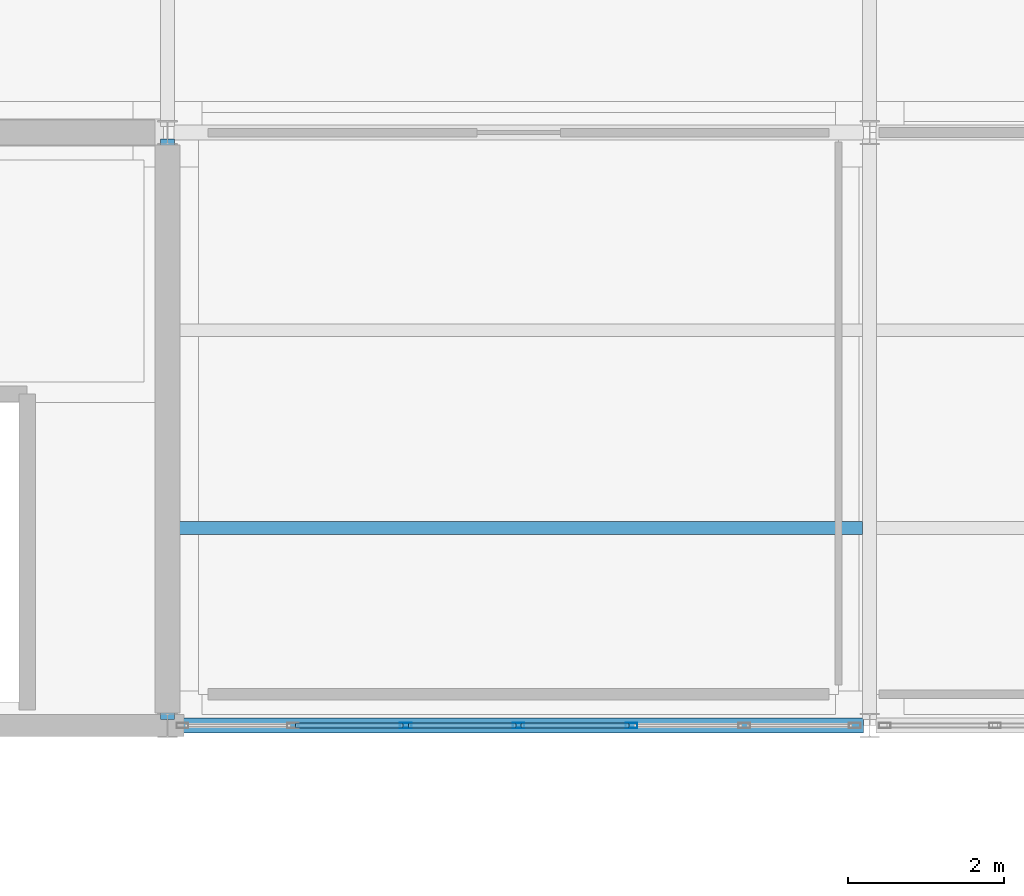
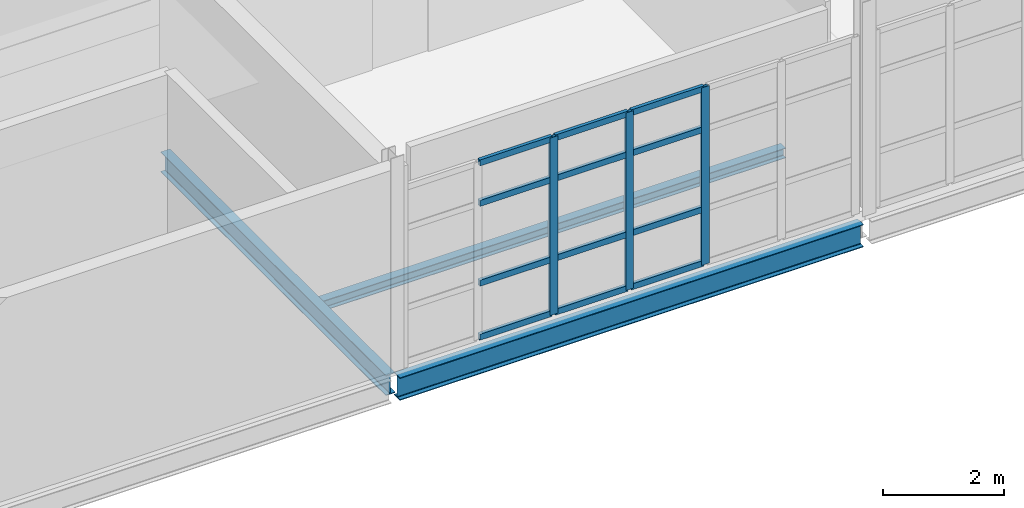
# One storey, part 65 of 174: 15 members, 3 beams, 1 element without a shape of its own.
"""IFC4 building model written with IfcOpenShell, lengths in metres."""

import ifcopenshell
import ifcopenshell.guid

model = None  # the IFC model being written
_history = None  # IfcOwnerHistory: only IFC2X3 demands one
_inside = {}  # id of a spatial element -> (the spatial element, [elements in it])
_under = {}  # id of a project, library or spatial element -> (it, [spatial elements below it])
_declared = {}  # id of a project -> (the project, [libraries it declares])
_typed = {}  # id of a type object -> (the type object, [elements of that type])
_made_of = {}  # id of a material, layer set ... -> (it, [elements and type objects made of it])


def new_model(schema):
    """Start an empty IFC model of exactly this schema.

    Asked for "IFC4X3", IfcOpenShell would pick the latest addendum, in which some entities
    have other attributes; the version numbers below select the first issue.
    IFC2X3 requires an IfcOwnerHistory on every rooted entity: one is made here for all.
    """
    global model, _history
    if schema == "IFC4X3":
        model = ifcopenshell.file(schema_version=(4, 3, 0, 0))
    else:
        model = ifcopenshell.file(schema=schema)
    _inside.clear()
    _under.clear()
    _declared.clear()
    _typed.clear()
    _made_of.clear()
    _history = None
    if model.schema == "IFC2X3":
        org = make("IfcOrganization", Name="unknown")
        user = make(
            "IfcPersonAndOrganization",
            ThePerson=make("IfcPerson", FamilyName="unknown"),
            TheOrganization=org,
        )
        app = make(
            "IfcApplication",
            ApplicationDeveloper=org,
            Version="unknown",
            ApplicationFullName="unknown",
            ApplicationIdentifier="unknown",
        )
        _history = make(
            "IfcOwnerHistory",
            OwningUser=user,
            OwningApplication=app,
            ChangeAction="ADDED",
            CreationDate=0,
        )
    return model


def make(cls, **values):
    """One entity of the class cls with the attributes given. An attribute that is None is left unset."""
    return model.create_entity(
        cls, **{name: value for name, value in values.items() if value is not None}
    )


def rooted(cls, **values):
    """An entity with a GlobalId (a new one), such as an element, a storey or a relation."""
    return make(cls, GlobalId=ifcopenshell.guid.new(), OwnerHistory=_history, **values)


def si_unit(unit_type, name, prefix=None):
    """IfcSIUnit, for example si_unit("LENGTHUNIT", "METRE", prefix="MILLI")."""
    return make("IfcSIUnit", UnitType=unit_type, Prefix=prefix, Name=name)


def assignment(units):
    """IfcUnitAssignment: the units of a project."""
    return None if units is None else make("IfcUnitAssignment", Units=units)


def point(xyz):
    """IfcCartesianPoint."""
    return None if xyz is None else make("IfcCartesianPoint", Coordinates=xyz)


def direction(xyz):
    """IfcDirection."""
    return None if xyz is None else make("IfcDirection", DirectionRatios=xyz)


def frame(location, z_axis=None, x_axis=None):
    """IfcAxis2Placement3D, a coordinate frame: its origin and axes. An axis left out is left unset."""
    return make(
        "IfcAxis2Placement3D",
        Location=point(location),
        Axis=direction(z_axis),
        RefDirection=direction(x_axis),
    )


def frame_2d(location, x_axis=None):
    """IfcAxis2Placement2D, a coordinate frame in the plane: its origin and x axis."""
    return make(
        "IfcAxis2Placement2D", Location=point(location), RefDirection=direction(x_axis)
    )


def origin():
    """The frame at (0, 0, 0) with its axes left unset."""
    return frame((0.0, 0.0, 0.0))


def origin_2d():
    """The frame at (0, 0) in the plane with its x axis left unset."""
    return frame_2d((0.0, 0.0))


def place(relative_to, where):
    """IfcLocalPlacement: puts the frame where relative to a parent placement (None: the world)."""
    return make(
        "IfcLocalPlacement", PlacementRelTo=relative_to, RelativePlacement=where
    )


def context(
    kind, dimensions, precision=None, world=None, true_north=None, identifier=None
):
    """IfcGeometricRepresentationContext, for example the 3D "Model" context."""
    return make(
        "IfcGeometricRepresentationContext",
        ContextIdentifier=identifier,
        ContextType=kind,
        CoordinateSpaceDimension=dimensions,
        Precision=precision,
        WorldCoordinateSystem=world,
        TrueNorth=true_north,
    )


def subcontext(parent, identifier, kind, view, scale=None):
    """IfcGeometricRepresentationSubContext, for example "Body" below "Model"."""
    return make(
        "IfcGeometricRepresentationSubContext",
        ContextIdentifier=identifier,
        ContextType=kind,
        ParentContext=parent,
        TargetScale=scale,
        TargetView=view,
    )


def project(units=None, contexts=None):
    """IfcProject with its units and contexts."""
    return rooted(
        "IfcProject",
        Name="project",
        RepresentationContexts=contexts,
        UnitsInContext=assignment(units),
    )


def spatial(cls, under=None, at=None, **own):
    """A site, building, storey or space (cls), placed at a placement, below another one or the project."""
    s = rooted(cls, ObjectPlacement=at, **own)
    if under is not None:
        _under.setdefault(under.id(), (under, []))[1].append(s)
    return s


def profile(cls, at=None, kind="AREA", **sizes):
    """A parametric profile (cls). Its sizes go by their IFC names, for example OverallWidth=200.0."""
    return make(cls, ProfileType=kind, Position=at, **sizes)


def hollow_rectangle(**sizes):
    """IfcRectangleHollowProfileDef."""
    return profile("IfcRectangleHollowProfileDef", **sizes)


def i_section(**sizes):
    """IfcIShapeProfileDef."""
    return profile("IfcIShapeProfileDef", **sizes)


def extrude(swept, where, along, depth):
    """IfcExtrudedAreaSolid: the profile swept, set in the frame where, extruded along a direction by depth."""
    return make(
        "IfcExtrudedAreaSolid",
        SweptArea=swept,
        Position=where,
        ExtrudedDirection=direction(along),
        Depth=depth,
    )


def shape(context_of_items, identifier, shape_type, items):
    """IfcShapeRepresentation: the items that make up one representation, for example the "Body"."""
    return make(
        "IfcShapeRepresentation",
        ContextOfItems=context_of_items,
        RepresentationIdentifier=identifier,
        RepresentationType=shape_type,
        Items=items,
    )


def material(Name=None, Category=None):
    """IfcMaterial."""
    return make("IfcMaterial", Name=Name, Category=Category)


def material_profile(
    of_material, cross_section, Name=None, Category=None, Priority=None
):
    """IfcMaterialProfile: a cross section and its material."""
    return make(
        "IfcMaterialProfile",
        Name=Name,
        Material=of_material,
        Profile=cross_section,
        Priority=Priority,
        Category=Category,
    )


def profile_set(profiles, Name=None, composite=None):
    """IfcMaterialProfileSet."""
    return make(
        "IfcMaterialProfileSet",
        Name=Name,
        MaterialProfiles=profiles,
        CompositeProfile=composite,
    )


def made_of(thing, what):
    """Note that an element or type object is made of a material, layer set ...; save() writes the relation."""
    if what is not None:
        _made_of.setdefault(what.id(), (what, []))[1].append(thing)
    return thing


def type_object(cls, material=None, **own):
    """A type object (cls), such as IfcWallType, which elements share."""
    return made_of(rooted(cls, **own), material)


def element(
    cls,
    number,
    at=None,
    inside=None,
    cuts=None,
    type_object=None,
    material=None,
    context=None,
    identifier="Body",
    shape_type=None,
    held_by="IfcProductDefinitionShape",
    body=None,
    shapes=None,
    **own,
):
    """One element of the class cls, such as IfcWall. Its Tag is "e" and its number.

    at: its placement. inside: the storey or other place that contains it. cuts: it is an
    opening in that element (IfcRelVoidsElement). A single representation is given by context,
    identifier, shape_type and body (its items); several are given by shapes. held_by: the class
    of the entity that holds the representations. save() writes the other relations.
    """
    e = rooted(cls, Tag="e%d" % number, ObjectPlacement=at, **own)
    if body is not None:
        shapes = [shape(context, identifier, shape_type, body)]
    if shapes is not None:
        e.Representation = make(held_by, Representations=shapes)
    if inside is not None:
        _inside.setdefault(inside.id(), (inside, []))[1].append(e)
    if cuts is not None:
        rooted(
            "IfcRelVoidsElement", RelatingBuildingElement=cuts, RelatedOpeningElement=e
        )
    if type_object is not None:
        _typed.setdefault(type_object.id(), (type_object, []))[1].append(e)
    return made_of(e, material)


def aggregate(whole, parts):
    """IfcRelAggregates: a whole, such as a stair, and the parts it consists of."""
    return rooted("IfcRelAggregates", RelatingObject=whole, RelatedObjects=parts)


def save(model, path):
    """Write the relations noted so far, then the file.

    IfcRelAggregates (storeys below a building ...), IfcRelContainedInSpatialStructure (elements
    in a storey), IfcRelDefinesByType, IfcRelAssociatesMaterial and IfcRelDeclares: one each for
    every whole, place, type object, material and project.
    """
    for whole, parts in _under.values():
        aggregate(whole, parts)
    for where, things in _inside.values():
        rooted(
            "IfcRelContainedInSpatialStructure",
            RelatedElements=things,
            RelatingStructure=where,
        )
    for kind, things in _typed.values():
        rooted("IfcRelDefinesByType", RelatedObjects=things, RelatingType=kind)
    for what, things in _made_of.values():
        rooted("IfcRelAssociatesMaterial", RelatedObjects=things, RelatingMaterial=what)
    for by, libraries in _declared.values():
        rooted("IfcRelDeclares", RelatingContext=by, RelatedDefinitions=libraries)
    model.write(path)


model = new_model("IFC4")

# Units and contexts
model_context = context("Model", 3, precision=1e-05, world=origin(), true_north=direction((0.0, 1.0)))
body_context = subcontext(model_context, "Body", "Model", "MODEL_VIEW")
ifc_project = project(units=[si_unit("LENGTHUNIT", "METRE"), si_unit("AREAUNIT", "SQUARE_METRE"), si_unit("VOLUMEUNIT", "CUBIC_METRE"), si_unit("PLANEANGLEUNIT", "RADIAN"), si_unit("MASSUNIT", "GRAM", prefix="KILO")], contexts=[model_context])

# Site, building, storey
site_placement = place(None, origin())
site = spatial("IfcSite", under=ifc_project, at=site_placement, CompositionType="ELEMENT")
building_placement = place(site_placement, origin())
building = spatial("IfcBuilding", under=site, at=building_placement, Name="Caisbarro Railhouse Central Library", CompositionType="ELEMENT")
storey_placement = place(building_placement, frame((0.0, 0.0, 5.0400390625)))
storey = spatial("IfcBuildingStorey", under=building, at=storey_placement, Name="L01", CompositionType="ELEMENT", Elevation=5.0400390625)

# Beams
ifc_material_1 = material(Name="Steel ASTM A572 Grade 50", Category="steel")
ifc_material_profile_1 = material_profile(ifc_material_1, i_section(OverallWidth=0.177978515625, OverallDepth=0.406982421875, WebThickness=0.0078125, FlangeThickness=0.0126953125, FilletRadius=0.01611328125, at=origin_2d()), Name="W410X60.0")
ifc_profile_set_1 = profile_set([ifc_material_profile_1], Name="Steel ASTM A572 Grade 50")
beam_type_1 = type_object("IfcBeamType", Name="BM-G10", PredefinedType="BEAM", material=ifc_profile_set_1)
beam_1_placement = place(storey_placement, frame((9.0, 83.679931640625, -0.403564453125), z_axis=(0.0, 1.0, 0.0), x_axis=(-1.0, 0.0, 0.0)))
element("IfcBeam", 1, at=beam_1_placement, inside=storey, type_object=beam_type_1, Name="G10 beam L01 #1027", PredefinedType="BEAM", context=body_context, shape_type="SweptSolid", body=[
    extrude(i_section(OverallWidth=0.177978515625, OverallDepth=0.406982421875, WebThickness=0.0078125, FlangeThickness=0.0126953125, FilletRadius=0.01611328125, at=origin_2d()), origin(), (0.0, 0.0, 1.0), 7.440185546875),
])
ifc_material_profile_2 = material_profile(ifc_material_1, i_section(OverallWidth=0.1650390625, OverallDepth=0.200927734375, WebThickness=0.006103515625, FlangeThickness=0.01025390625, FilletRadius=0.010009765625, at=origin_2d()), Name="W200X35.9")
ifc_profile_set_2 = profile_set([ifc_material_profile_2], Name="Steel ASTM A572 Grade 50")
beam_type_2 = type_object("IfcBeamType", Name="BM-J06", PredefinedType="JOIST", material=ifc_profile_set_2)
beam_2_placement = place(storey_placement, frame((9.089111328125, 86.13330078125, -0.300537109375), z_axis=(1.0, 0.0, 0.0), x_axis=(0.0, 1.0, 0.0)))
element("IfcBeam", 2, at=beam_2_placement, inside=storey, type_object=beam_type_2, Name="J06 beam L01 #1043", PredefinedType="JOIST", context=body_context, shape_type="SweptSolid", body=[
    extrude(i_section(OverallWidth=0.1650390625, OverallDepth=0.200927734375, WebThickness=0.006103515625, FlangeThickness=0.01025390625, FilletRadius=0.010009765625, at=origin_2d()), origin(), (0.0, 0.0, 1.0), 8.82177734375),
])
ifc_material_profile_3 = material_profile(ifc_material_1, i_section(OverallWidth=0.18994140625, OverallDepth=0.45703125, WebThickness=0.009033203125, FlangeThickness=0.014404296875, FilletRadius=0.01806640625, at=origin_2d()), Name="W460X74.0")
ifc_profile_set_3 = profile_set([ifc_material_profile_3], Name="Steel ASTM A572 Grade 50")
beam_type_3 = type_object("IfcBeamType", Name="BM-SP01", PredefinedType="SPANDREL", material=ifc_profile_set_3)
beam_3_placement = place(storey_placement, frame((9.080078125, 83.60009765625, -0.428466796875), z_axis=(1.0, 0.0, 0.0), x_axis=(0.0, 1.0, 0.0)))
element("IfcBeam", 3, at=beam_3_placement, inside=storey, type_object=beam_type_3, Name="SP01 beam L01 #1009", PredefinedType="SPANDREL", context=body_context, shape_type="SweptSolid", body=[
    extrude(i_section(OverallWidth=0.18994140625, OverallDepth=0.45703125, WebThickness=0.009033203125, FlangeThickness=0.014404296875, FilletRadius=0.01806640625, at=origin_2d()), origin(), (0.0, 0.0, 1.0), 8.83984375),
])

# Curtain wall, members
ifc_material_2 = material(Name="Anodised architectural aluminium", Category="aluminium")
curtain_wall_type = type_object("IfcCurtainWallType", Name="CW-CW02", PredefinedType="NOTDEFINED", material=ifc_material_2)
curtain_wall_placement = place(storey_placement, origin())
curtain_wall = element("IfcCurtainWall", 4, at=curtain_wall_placement, inside=storey, type_object=curtain_wall_type, Name="CW02 curtain wall L01 #80", PredefinedType="NOTDEFINED")
ifc_material_profile_4 = material_profile(ifc_material_2, hollow_rectangle(XDim=0.06494140625, YDim=0.14990234375, WallThickness=0.00390625, at=origin_2d()), Name="ALU-MUL-65X150")
ifc_profile_set_4 = profile_set([ifc_material_profile_4], Name="Anodised architectural aluminium")
member_type_1 = type_object("IfcMemberType", Name="CWM-M02", PredefinedType="MULLION", material=ifc_profile_set_4)
member_1_placement = place(storey_placement, frame((12.05322265625, 83.60009765625, 0.0), z_axis=(0.0, 0.0, 1.0), x_axis=(0.0, 1.0, 0.0)))
member_1 = element("IfcMember", 5, at=member_1_placement, type_object=member_type_1, Name="CW02 mullion 3", PredefinedType="MULLION", context=body_context, shape_type="SweptSolid", body=[
    extrude(hollow_rectangle(XDim=0.06494140625, YDim=0.14990234375, WallThickness=0.00390625, at=origin_2d()), origin(), (0.0, 0.0, 1.0), 3.580078125),
])
member_2_placement = place(storey_placement, frame((13.5, 83.60009765625, 0.0), z_axis=(0.0, 0.0, 1.0), x_axis=(0.0, 1.0, 0.0)))
member_2 = element("IfcMember", 6, at=member_2_placement, type_object=member_type_1, Name="CW02 mullion 4", PredefinedType="MULLION", context=body_context, shape_type="SweptSolid", body=[
    extrude(hollow_rectangle(XDim=0.06494140625, YDim=0.14990234375, WallThickness=0.00390625, at=origin_2d()), origin(), (0.0, 0.0, 1.0), 3.580078125),
])
member_3_placement = place(storey_placement, frame((14.94677734375, 83.60009765625, 0.0), z_axis=(0.0, 0.0, 1.0), x_axis=(0.0, 1.0, 0.0)))
member_3 = element("IfcMember", 7, at=member_3_placement, type_object=member_type_1, Name="CW02 mullion 5", PredefinedType="MULLION", context=body_context, shape_type="SweptSolid", body=[
    extrude(hollow_rectangle(XDim=0.06494140625, YDim=0.14990234375, WallThickness=0.00390625, at=origin_2d()), origin(), (0.0, 0.0, 1.0), 3.580078125),
])
ifc_material_profile_5 = material_profile(ifc_material_2, hollow_rectangle(XDim=0.06494140625, YDim=0.1201171875, WallThickness=0.00341796875, at=origin_2d()), Name="ALU-TRN-65X120")
ifc_profile_set_5 = profile_set([ifc_material_profile_5], Name="Anodised architectural aluminium")
member_type_2 = type_object("IfcMemberType", Name="CWT-T02", PredefinedType="USERDEFINED", material=ifc_profile_set_5)
member_4_placement = place(storey_placement, frame((10.63916015625, 83.60009765625, 0.032470703125), z_axis=(1.0, 0.0, 0.0), x_axis=(0.0, 1.0, 0.0)))
member_4 = element("IfcMember", 8, at=member_4_placement, type_object=member_type_2, Name="CW02 transom 2.1", ObjectType="TRANSOM", PredefinedType="USERDEFINED", context=body_context, shape_type="SweptSolid", body=[
    extrude(hollow_rectangle(XDim=0.06494140625, YDim=0.1201171875, WallThickness=0.00341796875, at=origin_2d()), origin(), (0.0, 0.0, 1.0), 1.381591796875),
])
member_5_placement = place(storey_placement, frame((10.63916015625, 83.60009765625, 1.119873046875), z_axis=(1.0, 0.0, 0.0), x_axis=(0.0, 1.0, 0.0)))
member_5 = element("IfcMember", 9, at=member_5_placement, type_object=member_type_2, Name="CW02 transom 2.2", ObjectType="TRANSOM", PredefinedType="USERDEFINED", context=body_context, shape_type="SweptSolid", body=[
    extrude(hollow_rectangle(XDim=0.06494140625, YDim=0.1201171875, WallThickness=0.00341796875, at=origin_2d()), origin(), (0.0, 0.0, 1.0), 1.381591796875),
])
member_6_placement = place(storey_placement, frame((10.63916015625, 83.60009765625, 2.72998046875), z_axis=(1.0, 0.0, 0.0), x_axis=(0.0, 1.0, 0.0)))
member_6 = element("IfcMember", 10, at=member_6_placement, type_object=member_type_2, Name="CW02 transom 2.3", ObjectType="TRANSOM", PredefinedType="USERDEFINED", context=body_context, shape_type="SweptSolid", body=[
    extrude(hollow_rectangle(XDim=0.06494140625, YDim=0.1201171875, WallThickness=0.00341796875, at=origin_2d()), origin(), (0.0, 0.0, 1.0), 1.381591796875),
])
member_7_placement = place(storey_placement, frame((10.63916015625, 83.60009765625, 3.54736328125), z_axis=(1.0, 0.0, 0.0), x_axis=(0.0, 1.0, 0.0)))
member_7 = element("IfcMember", 11, at=member_7_placement, type_object=member_type_2, Name="CW02 transom 2.4", ObjectType="TRANSOM", PredefinedType="USERDEFINED", context=body_context, shape_type="SweptSolid", body=[
    extrude(hollow_rectangle(XDim=0.06494140625, YDim=0.1201171875, WallThickness=0.00341796875, at=origin_2d()), origin(), (0.0, 0.0, 1.0), 1.381591796875),
])
member_8_placement = place(storey_placement, frame((12.0859375, 83.60009765625, 0.032470703125), z_axis=(1.0, 0.0, 0.0), x_axis=(0.0, 1.0, 0.0)))
member_8 = element("IfcMember", 12, at=member_8_placement, type_object=member_type_2, Name="CW02 transom 3.1", ObjectType="TRANSOM", PredefinedType="USERDEFINED", context=body_context, shape_type="SweptSolid", body=[
    extrude(hollow_rectangle(XDim=0.06494140625, YDim=0.1201171875, WallThickness=0.00341796875, at=origin_2d()), origin(), (0.0, 0.0, 1.0), 1.381591796875),
])
member_9_placement = place(storey_placement, frame((12.0859375, 83.60009765625, 1.119873046875), z_axis=(1.0, 0.0, 0.0), x_axis=(0.0, 1.0, 0.0)))
member_9 = element("IfcMember", 13, at=member_9_placement, type_object=member_type_2, Name="CW02 transom 3.2", ObjectType="TRANSOM", PredefinedType="USERDEFINED", context=body_context, shape_type="SweptSolid", body=[
    extrude(hollow_rectangle(XDim=0.06494140625, YDim=0.1201171875, WallThickness=0.00341796875, at=origin_2d()), origin(), (0.0, 0.0, 1.0), 1.381591796875),
])
member_10_placement = place(storey_placement, frame((12.0859375, 83.60009765625, 2.72998046875), z_axis=(1.0, 0.0, 0.0), x_axis=(0.0, 1.0, 0.0)))
member_10 = element("IfcMember", 14, at=member_10_placement, type_object=member_type_2, Name="CW02 transom 3.3", ObjectType="TRANSOM", PredefinedType="USERDEFINED", context=body_context, shape_type="SweptSolid", body=[
    extrude(hollow_rectangle(XDim=0.06494140625, YDim=0.1201171875, WallThickness=0.00341796875, at=origin_2d()), origin(), (0.0, 0.0, 1.0), 1.381591796875),
])
member_11_placement = place(storey_placement, frame((12.0859375, 83.60009765625, 3.54736328125), z_axis=(1.0, 0.0, 0.0), x_axis=(0.0, 1.0, 0.0)))
member_11 = element("IfcMember", 15, at=member_11_placement, type_object=member_type_2, Name="CW02 transom 3.4", ObjectType="TRANSOM", PredefinedType="USERDEFINED", context=body_context, shape_type="SweptSolid", body=[
    extrude(hollow_rectangle(XDim=0.06494140625, YDim=0.1201171875, WallThickness=0.00341796875, at=origin_2d()), origin(), (0.0, 0.0, 1.0), 1.381591796875),
])
member_12_placement = place(storey_placement, frame((13.532470703125, 83.60009765625, 0.032470703125), z_axis=(1.0, 0.0, 0.0), x_axis=(0.0, 1.0, 0.0)))
member_12 = element("IfcMember", 16, at=member_12_placement, type_object=member_type_2, Name="CW02 transom 4.1", ObjectType="TRANSOM", PredefinedType="USERDEFINED", context=body_context, shape_type="SweptSolid", body=[
    extrude(hollow_rectangle(XDim=0.06494140625, YDim=0.1201171875, WallThickness=0.00341796875, at=origin_2d()), origin(), (0.0, 0.0, 1.0), 1.381591796875),
])
member_13_placement = place(storey_placement, frame((13.532470703125, 83.60009765625, 1.119873046875), z_axis=(1.0, 0.0, 0.0), x_axis=(0.0, 1.0, 0.0)))
member_13 = element("IfcMember", 17, at=member_13_placement, type_object=member_type_2, Name="CW02 transom 4.2", ObjectType="TRANSOM", PredefinedType="USERDEFINED", context=body_context, shape_type="SweptSolid", body=[
    extrude(hollow_rectangle(XDim=0.06494140625, YDim=0.1201171875, WallThickness=0.00341796875, at=origin_2d()), origin(), (0.0, 0.0, 1.0), 1.381591796875),
])
member_14_placement = place(storey_placement, frame((13.532470703125, 83.60009765625, 2.72998046875), z_axis=(1.0, 0.0, 0.0), x_axis=(0.0, 1.0, 0.0)))
member_14 = element("IfcMember", 18, at=member_14_placement, type_object=member_type_2, Name="CW02 transom 4.3", ObjectType="TRANSOM", PredefinedType="USERDEFINED", context=body_context, shape_type="SweptSolid", body=[
    extrude(hollow_rectangle(XDim=0.06494140625, YDim=0.1201171875, WallThickness=0.00341796875, at=origin_2d()), origin(), (0.0, 0.0, 1.0), 1.381591796875),
])
member_15_placement = place(storey_placement, frame((13.532470703125, 83.60009765625, 3.54736328125), z_axis=(1.0, 0.0, 0.0), x_axis=(0.0, 1.0, 0.0)))
member_15 = element("IfcMember", 19, at=member_15_placement, type_object=member_type_2, Name="CW02 transom 4.4", ObjectType="TRANSOM", PredefinedType="USERDEFINED", context=body_context, shape_type="SweptSolid", body=[
    extrude(hollow_rectangle(XDim=0.06494140625, YDim=0.1201171875, WallThickness=0.00341796875, at=origin_2d()), origin(), (0.0, 0.0, 1.0), 1.381591796875),
])
aggregate(curtain_wall, [member_1, member_2, member_3, member_4, member_5, member_6, member_7, member_8, member_9, member_10, member_11, member_12, member_13, member_14, member_15])

save(model, "model.ifc")
